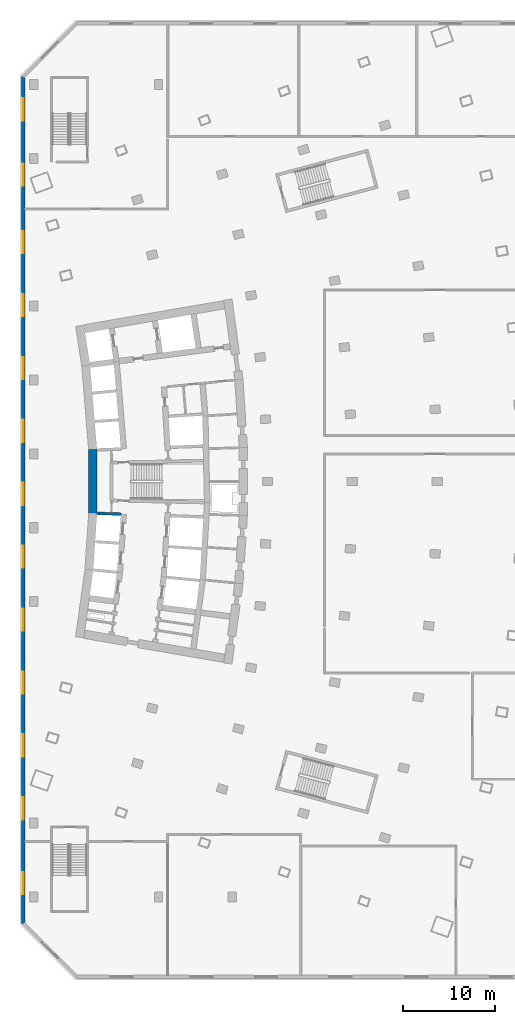
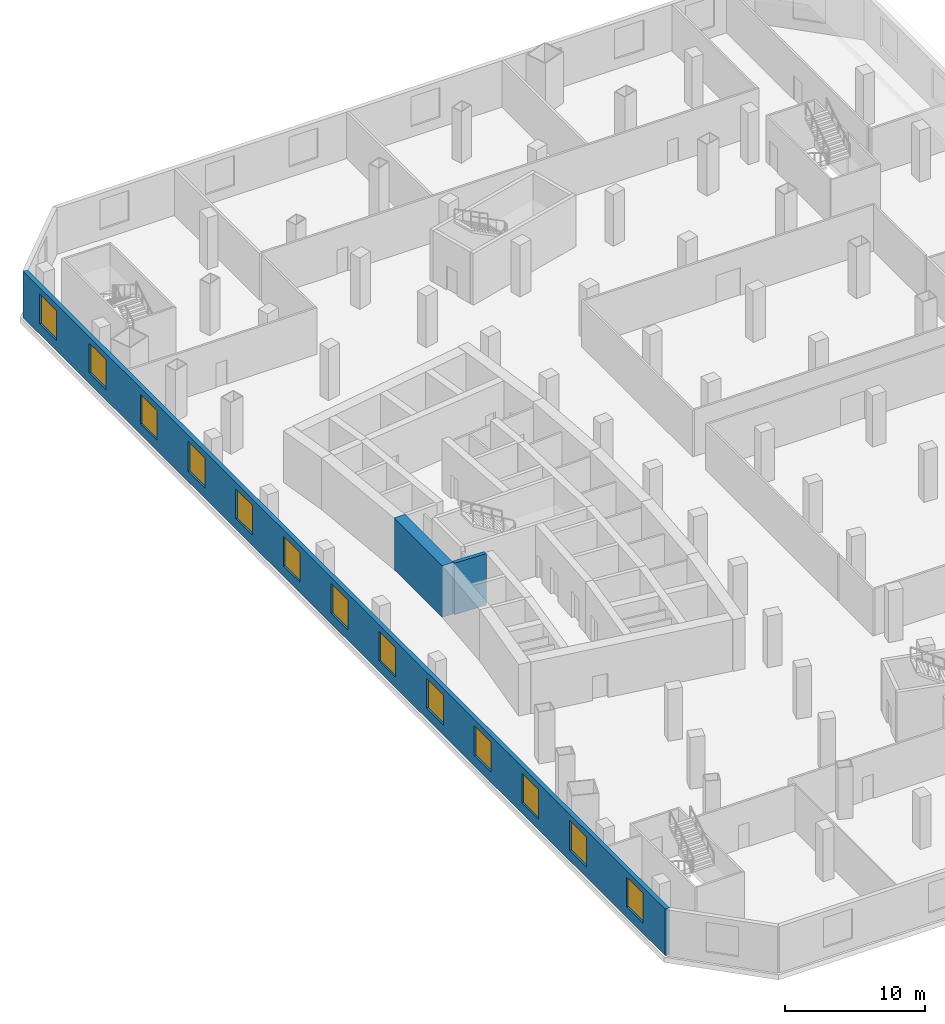
# One storey, part 4 of 16: 13 windows, 3 walls, 13 openings.
"""IFC4 building model written with IfcOpenShell, lengths in metres."""

import ifcopenshell
import ifcopenshell.guid

model = None  # the IFC model being written
_history = None  # IfcOwnerHistory: only IFC2X3 demands one
_inside = {}  # id of a spatial element -> (the spatial element, [elements in it])
_under = {}  # id of a project, library or spatial element -> (it, [spatial elements below it])
_declared = {}  # id of a project -> (the project, [libraries it declares])
_typed = {}  # id of a type object -> (the type object, [elements of that type])
_made_of = {}  # id of a material, layer set ... -> (it, [elements and type objects made of it])


def new_model(schema):
    """Start an empty IFC model of exactly this schema.

    Asked for "IFC4X3", IfcOpenShell would pick the latest addendum, in which some entities
    have other attributes; the version numbers below select the first issue.
    IFC2X3 requires an IfcOwnerHistory on every rooted entity: one is made here for all.
    """
    global model, _history
    if schema == "IFC4X3":
        model = ifcopenshell.file(schema_version=(4, 3, 0, 0))
    else:
        model = ifcopenshell.file(schema=schema)
    _inside.clear()
    _under.clear()
    _declared.clear()
    _typed.clear()
    _made_of.clear()
    _history = None
    if model.schema == "IFC2X3":
        org = make("IfcOrganization", Name="unknown")
        user = make(
            "IfcPersonAndOrganization",
            ThePerson=make("IfcPerson", FamilyName="unknown"),
            TheOrganization=org,
        )
        app = make(
            "IfcApplication",
            ApplicationDeveloper=org,
            Version="unknown",
            ApplicationFullName="unknown",
            ApplicationIdentifier="unknown",
        )
        _history = make(
            "IfcOwnerHistory",
            OwningUser=user,
            OwningApplication=app,
            ChangeAction="ADDED",
            CreationDate=0,
        )
    return model


def make(cls, **values):
    """One entity of the class cls with the attributes given. An attribute that is None is left unset."""
    return model.create_entity(
        cls, **{name: value for name, value in values.items() if value is not None}
    )


def rooted(cls, **values):
    """An entity with a GlobalId (a new one), such as an element, a storey or a relation."""
    return make(cls, GlobalId=ifcopenshell.guid.new(), OwnerHistory=_history, **values)


def si_unit(unit_type, name, prefix=None):
    """IfcSIUnit, for example si_unit("LENGTHUNIT", "METRE", prefix="MILLI")."""
    return make("IfcSIUnit", UnitType=unit_type, Prefix=prefix, Name=name)


def assignment(units):
    """IfcUnitAssignment: the units of a project."""
    return None if units is None else make("IfcUnitAssignment", Units=units)


def point(xyz):
    """IfcCartesianPoint."""
    return None if xyz is None else make("IfcCartesianPoint", Coordinates=xyz)


def direction(xyz):
    """IfcDirection."""
    return None if xyz is None else make("IfcDirection", DirectionRatios=xyz)


def frame(location, z_axis=None, x_axis=None):
    """IfcAxis2Placement3D, a coordinate frame: its origin and axes. An axis left out is left unset."""
    return make(
        "IfcAxis2Placement3D",
        Location=point(location),
        Axis=direction(z_axis),
        RefDirection=direction(x_axis),
    )


def frame_2d(location, x_axis=None):
    """IfcAxis2Placement2D, a coordinate frame in the plane: its origin and x axis."""
    return make(
        "IfcAxis2Placement2D", Location=point(location), RefDirection=direction(x_axis)
    )


def origin():
    """The frame at (0, 0, 0) with its axes left unset."""
    return frame((0.0, 0.0, 0.0))


def place(relative_to, where):
    """IfcLocalPlacement: puts the frame where relative to a parent placement (None: the world)."""
    return make(
        "IfcLocalPlacement", PlacementRelTo=relative_to, RelativePlacement=where
    )


def context(
    kind, dimensions, precision=None, world=None, true_north=None, identifier=None
):
    """IfcGeometricRepresentationContext, for example the 3D "Model" context."""
    return make(
        "IfcGeometricRepresentationContext",
        ContextIdentifier=identifier,
        ContextType=kind,
        CoordinateSpaceDimension=dimensions,
        Precision=precision,
        WorldCoordinateSystem=world,
        TrueNorth=true_north,
    )


def subcontext(parent, identifier, kind, view, scale=None):
    """IfcGeometricRepresentationSubContext, for example "Body" below "Model"."""
    return make(
        "IfcGeometricRepresentationSubContext",
        ContextIdentifier=identifier,
        ContextType=kind,
        ParentContext=parent,
        TargetScale=scale,
        TargetView=view,
    )


def project(units=None, contexts=None):
    """IfcProject with its units and contexts."""
    return rooted(
        "IfcProject",
        Name="project",
        RepresentationContexts=contexts,
        UnitsInContext=assignment(units),
    )


def spatial(cls, under=None, at=None, **own):
    """A site, building, storey or space (cls), placed at a placement, below another one or the project."""
    s = rooted(cls, ObjectPlacement=at, **own)
    if under is not None:
        _under.setdefault(under.id(), (under, []))[1].append(s)
    return s


def profile(cls, at=None, kind="AREA", **sizes):
    """A parametric profile (cls). Its sizes go by their IFC names, for example OverallWidth=200.0."""
    return make(cls, ProfileType=kind, Position=at, **sizes)


def rectangle(**sizes):
    """IfcRectangleProfileDef."""
    return profile("IfcRectangleProfileDef", **sizes)


def extrude(swept, where, along, depth):
    """IfcExtrudedAreaSolid: the profile swept, set in the frame where, extruded along a direction by depth."""
    return make(
        "IfcExtrudedAreaSolid",
        SweptArea=swept,
        Position=where,
        ExtrudedDirection=direction(along),
        Depth=depth,
    )


def shape(context_of_items, identifier, shape_type, items):
    """IfcShapeRepresentation: the items that make up one representation, for example the "Body"."""
    return make(
        "IfcShapeRepresentation",
        ContextOfItems=context_of_items,
        RepresentationIdentifier=identifier,
        RepresentationType=shape_type,
        Items=items,
    )


def material(Name=None, Category=None):
    """IfcMaterial."""
    return make("IfcMaterial", Name=Name, Category=Category)


def layer(
    of_material, thickness, ventilated=None, Name=None, Category=None, Priority=None
):
    """IfcMaterialLayer: one layer of a wall or slab, of a material (None: an air gap)."""
    return make(
        "IfcMaterialLayer",
        Material=of_material,
        LayerThickness=thickness,
        IsVentilated=ventilated,
        Name=Name,
        Category=Category,
        Priority=Priority,
    )


def layer_set(layers, Name=None):
    """IfcMaterialLayerSet."""
    return make("IfcMaterialLayerSet", MaterialLayers=layers, LayerSetName=Name)


def made_of(thing, what):
    """Note that an element or type object is made of a material, layer set ...; save() writes the relation."""
    if what is not None:
        _made_of.setdefault(what.id(), (what, []))[1].append(thing)
    return thing


def type_object(cls, material=None, **own):
    """A type object (cls), such as IfcWallType, which elements share."""
    return made_of(rooted(cls, **own), material)


def element(
    cls,
    number,
    at=None,
    inside=None,
    cuts=None,
    type_object=None,
    material=None,
    context=None,
    identifier="Body",
    shape_type=None,
    held_by="IfcProductDefinitionShape",
    body=None,
    shapes=None,
    **own,
):
    """One element of the class cls, such as IfcWall. Its Tag is "e" and its number.

    at: its placement. inside: the storey or other place that contains it. cuts: it is an
    opening in that element (IfcRelVoidsElement). A single representation is given by context,
    identifier, shape_type and body (its items); several are given by shapes. held_by: the class
    of the entity that holds the representations. save() writes the other relations.
    """
    e = rooted(cls, Tag="e%d" % number, ObjectPlacement=at, **own)
    if body is not None:
        shapes = [shape(context, identifier, shape_type, body)]
    if shapes is not None:
        e.Representation = make(held_by, Representations=shapes)
    if inside is not None:
        _inside.setdefault(inside.id(), (inside, []))[1].append(e)
    if cuts is not None:
        rooted(
            "IfcRelVoidsElement", RelatingBuildingElement=cuts, RelatedOpeningElement=e
        )
    if type_object is not None:
        _typed.setdefault(type_object.id(), (type_object, []))[1].append(e)
    return made_of(e, material)


def fill(opening, filler):
    """IfcRelFillsElement: the door or window that sits in an opening."""
    return rooted(
        "IfcRelFillsElement",
        RelatingOpeningElement=opening,
        RelatedBuildingElement=filler,
    )


def aggregate(whole, parts):
    """IfcRelAggregates: a whole, such as a stair, and the parts it consists of."""
    return rooted("IfcRelAggregates", RelatingObject=whole, RelatedObjects=parts)


def save(model, path):
    """Write the relations noted so far, then the file.

    IfcRelAggregates (storeys below a building ...), IfcRelContainedInSpatialStructure (elements
    in a storey), IfcRelDefinesByType, IfcRelAssociatesMaterial and IfcRelDeclares: one each for
    every whole, place, type object, material and project.
    """
    for whole, parts in _under.values():
        aggregate(whole, parts)
    for where, things in _inside.values():
        rooted(
            "IfcRelContainedInSpatialStructure",
            RelatedElements=things,
            RelatingStructure=where,
        )
    for kind, things in _typed.values():
        rooted("IfcRelDefinesByType", RelatedObjects=things, RelatingType=kind)
    for what, things in _made_of.values():
        rooted("IfcRelAssociatesMaterial", RelatedObjects=things, RelatingMaterial=what)
    for by, libraries in _declared.values():
        rooted("IfcRelDeclares", RelatingContext=by, RelatedDefinitions=libraries)
    model.write(path)


model = new_model("IFC4")

# Units and contexts
model_context = context("Model", 3, precision=1e-05, world=origin(), true_north=direction((0.0, 1.0)))
body_context = subcontext(model_context, "Body", "Model", "MODEL_VIEW")
ifc_project = project(units=[si_unit("LENGTHUNIT", "METRE"), si_unit("AREAUNIT", "SQUARE_METRE"), si_unit("VOLUMEUNIT", "CUBIC_METRE"), si_unit("PLANEANGLEUNIT", "RADIAN"), si_unit("MASSUNIT", "GRAM", prefix="KILO")], contexts=[model_context])

# Site, building, storey
site_placement = place(None, origin())
site = spatial("IfcSite", under=ifc_project, at=site_placement, CompositionType="ELEMENT")
building_placement = place(site_placement, origin())
building = spatial("IfcBuilding", under=site, at=building_placement, Name="Alderwake Tower", CompositionType="ELEMENT")
storey_placement = place(building_placement, frame((0.0, 0.0, 18.5)))
storey = spatial("IfcBuildingStorey", under=building, at=storey_placement, Name="L03", CompositionType="ELEMENT", Elevation=18.5)

# Walls
ifc_material_1 = material(Name="Concrete C70/85", Category="concrete")
ifc_layer_1 = layer(ifc_material_1, 0.89990234375)
ifc_layer_set_1 = layer_set([ifc_layer_1], Name="Core wall outer 900 C70-85")
wall_type_1 = type_object("IfcWallType", Name="Core wall outer 900 C70-85", PredefinedType="SHEAR", material=ifc_layer_set_1)
wall_1_placement = place(storey_placement, frame((16.889404296875, 57.5546875, 0.0), z_axis=(0.0, 0.0, 1.0), x_axis=(0.0, 1.0, 0.0)))
element("IfcWall", 1, at=wall_1_placement, inside=storey, type_object=wall_type_1, Name="Core wall CW.043", PredefinedType="SHEAR", context=body_context, shape_type="SweptSolid", body=[
    extrude(rectangle(XDim=6.89404296875, YDim=0.89990234375, at=frame_2d((3.447021484375, 0.0))), origin(), (0.0, 0.0, 1.0), 4.5),
])
ifc_material_2 = material(Name="Concrete C70/85", Category="concrete")
ifc_layer_2 = layer(ifc_material_2, 0.300048828125)
ifc_layer_set_2 = layer_set([ifc_layer_2], Name="Core wall shaft 300 C70-85")
wall_type_2 = type_object("IfcWallType", Name="Core wall shaft 300 C70-85", PredefinedType="SHEAR", material=ifc_layer_set_2)
wall_2_placement = place(storey_placement, frame((17.369140625, 57.553466796875, 0.0), z_axis=(0.0, 0.0, 1.0), x_axis=(0.99937189907, -0.035437372217, 0.0)))
element("IfcWall", 2, at=wall_2_placement, inside=storey, type_object=wall_type_2, Name="Core wall CW.076", PredefinedType="SHEAR", context=body_context, shape_type="SweptSolid", body=[
    extrude(rectangle(XDim=2.56982421875, YDim=0.300048828125, at=frame_2d((1.284912109375, 0.0))), origin(), (0.0, 0.0, 1.0), 4.5),
])

# Wall, openings, windows
ifc_material_3 = material(Name="Precast concrete C50/60 spandrel panel", Category="concrete")
ifc_layer_3 = layer(ifc_material_3, 0.35009765625)
ifc_layer_set_3 = layer_set([ifc_layer_3], Name="External wall EW4 Precast concrete C50/60 podium")
wall_type_3 = type_object("IfcWallType", Name="External wall EW4 Precast concrete C50/60 podium", PredefinedType="SOLIDWALL", material=ifc_layer_set_3)
wall_3_placement = place(storey_placement, frame((9.35009765625, 104.85498046875, 0.0), z_axis=(0.0, 0.0, 1.0), x_axis=(0.0, -1.0, 0.0)))
wall_3 = element("IfcWall", 3, at=wall_3_placement, inside=storey, type_object=wall_type_3, Name="External wall 7", PredefinedType="SOLIDWALL", context=body_context, shape_type="SweptSolid", body=[
    extrude(rectangle(XDim=91.72509765625, YDim=0.35009765625, at=frame_2d((45.862548828125, 0.0))), origin(), (0.0, 0.0, 1.0), 4.050048828125),
])
opening_1_placement = place(wall_3_placement, frame((2.343505859375, 0.0, 0.89990234375)))
opening_1 = element("IfcOpeningElement", 4, at=opening_1_placement, cuts=wall_3, Name="Opening W6", PredefinedType="OPENING", context=body_context, shape_type="SweptSolid", body=[
    extrude(rectangle(XDim=2.39990234375, YDim=2.60009765625, at=frame_2d((1.199951171875, 1.300048828125))), frame((0.0, 0.18505859375, 0.0), z_axis=(0.0, -1.0, 0.0), x_axis=(1.0, 0.0, 0.0)), (0.0, 0.0, 1.0), 0.3701171875),
])
opening_2_placement = place(wall_3_placement, frame((9.430419921875, 0.0, 0.89990234375)))
opening_2 = element("IfcOpeningElement", 5, at=opening_2_placement, cuts=wall_3, Name="Opening W6", PredefinedType="OPENING", context=body_context, shape_type="SweptSolid", body=[
    extrude(rectangle(XDim=2.39990234375, YDim=2.60009765625, at=frame_2d((1.199951171875, 1.300048828125))), frame((0.0, 0.18505859375, 0.0), z_axis=(0.0, -1.0, 0.0), x_axis=(1.0, 0.0, 0.0)), (0.0, 0.0, 1.0), 0.3701171875),
])
opening_3_placement = place(wall_3_placement, frame((16.7412109375, 0.0, 0.89990234375)))
opening_3 = element("IfcOpeningElement", 6, at=opening_3_placement, cuts=wall_3, Name="Opening W6", PredefinedType="OPENING", context=body_context, shape_type="SweptSolid", body=[
    extrude(rectangle(XDim=2.39990234375, YDim=2.60009765625, at=frame_2d((1.199951171875, 1.300048828125))), frame((0.0, 0.18505859375, 0.0), z_axis=(0.0, -1.0, 0.0), x_axis=(1.0, 0.0, 0.0)), (0.0, 0.0, 1.0), 0.3701171875),
])
opening_4_placement = place(wall_3_placement, frame((23.555419921875, 0.0, 0.89990234375)))
opening_4 = element("IfcOpeningElement", 7, at=opening_4_placement, cuts=wall_3, Name="Opening W6", PredefinedType="OPENING", context=body_context, shape_type="SweptSolid", body=[
    extrude(rectangle(XDim=2.39990234375, YDim=2.60009765625, at=frame_2d((1.199951171875, 1.300048828125))), frame((0.0, 0.18505859375, 0.0), z_axis=(0.0, -1.0, 0.0), x_axis=(1.0, 0.0, 0.0)), (0.0, 0.0, 1.0), 0.3701171875),
])
opening_5_placement = place(wall_3_placement, frame((30.369384765625, 0.0, 0.89990234375)))
opening_5 = element("IfcOpeningElement", 8, at=opening_5_placement, cuts=wall_3, Name="Opening W6", PredefinedType="OPENING", context=body_context, shape_type="SweptSolid", body=[
    extrude(rectangle(XDim=2.39990234375, YDim=2.60009765625, at=frame_2d((1.199951171875, 1.300048828125))), frame((0.0, 0.18505859375, 0.0), z_axis=(0.0, -1.0, 0.0), x_axis=(1.0, 0.0, 0.0)), (0.0, 0.0, 1.0), 0.3701171875),
])
opening_6_placement = place(wall_3_placement, frame((37.18359375, 0.0, 0.89990234375)))
opening_6 = element("IfcOpeningElement", 9, at=opening_6_placement, cuts=wall_3, Name="Opening W6", PredefinedType="OPENING", context=body_context, shape_type="SweptSolid", body=[
    extrude(rectangle(XDim=2.39990234375, YDim=2.60009765625, at=frame_2d((1.199951171875, 1.300048828125))), frame((0.0, 0.18505859375, 0.0), z_axis=(0.0, -1.0, 0.0), x_axis=(1.0, 0.0, 0.0)), (0.0, 0.0, 1.0), 0.3701171875),
])
opening_7_placement = place(wall_3_placement, frame((43.997802734375, 0.0, 0.89990234375)))
opening_7 = element("IfcOpeningElement", 10, at=opening_7_placement, cuts=wall_3, Name="Opening W6", PredefinedType="OPENING", context=body_context, shape_type="SweptSolid", body=[
    extrude(rectangle(XDim=2.39990234375, YDim=2.60009765625, at=frame_2d((1.199951171875, 1.300048828125))), frame((0.0, 0.18505859375, 0.0), z_axis=(0.0, -1.0, 0.0), x_axis=(1.0, 0.0, 0.0)), (0.0, 0.0, 1.0), 0.3701171875),
])
opening_8_placement = place(wall_3_placement, frame((50.81201171875, 0.0, 0.89990234375)))
opening_8 = element("IfcOpeningElement", 11, at=opening_8_placement, cuts=wall_3, Name="Opening W6", PredefinedType="OPENING", context=body_context, shape_type="SweptSolid", body=[
    extrude(rectangle(XDim=2.39990234375, YDim=2.60009765625, at=frame_2d((1.199951171875, 1.300048828125))), frame((0.0, 0.18505859375, 0.0), z_axis=(0.0, -1.0, 0.0), x_axis=(1.0, 0.0, 0.0)), (0.0, 0.0, 1.0), 0.3701171875),
])
opening_9_placement = place(wall_3_placement, frame((57.626220703125, 0.0, 0.89990234375)))
opening_9 = element("IfcOpeningElement", 12, at=opening_9_placement, cuts=wall_3, Name="Opening W6", PredefinedType="OPENING", context=body_context, shape_type="SweptSolid", body=[
    extrude(rectangle(XDim=2.39990234375, YDim=2.60009765625, at=frame_2d((1.199951171875, 1.300048828125))), frame((0.0, 0.18505859375, 0.0), z_axis=(0.0, -1.0, 0.0), x_axis=(1.0, 0.0, 0.0)), (0.0, 0.0, 1.0), 0.3701171875),
])
opening_10_placement = place(wall_3_placement, frame((64.4404296875, 0.0, 0.89990234375)))
opening_10 = element("IfcOpeningElement", 13, at=opening_10_placement, cuts=wall_3, Name="Opening W6", PredefinedType="OPENING", context=body_context, shape_type="SweptSolid", body=[
    extrude(rectangle(XDim=2.39990234375, YDim=2.60009765625, at=frame_2d((1.199951171875, 1.300048828125))), frame((0.0, 0.18505859375, 0.0), z_axis=(0.0, -1.0, 0.0), x_axis=(1.0, 0.0, 0.0)), (0.0, 0.0, 1.0), 0.3701171875),
])
opening_11_placement = place(wall_3_placement, frame((71.254638671875, 0.0, 0.89990234375)))
opening_11 = element("IfcOpeningElement", 14, at=opening_11_placement, cuts=wall_3, Name="Opening W6", PredefinedType="OPENING", context=body_context, shape_type="SweptSolid", body=[
    extrude(rectangle(XDim=2.39990234375, YDim=2.60009765625, at=frame_2d((1.199951171875, 1.300048828125))), frame((0.0, 0.18505859375, 0.0), z_axis=(0.0, -1.0, 0.0), x_axis=(1.0, 0.0, 0.0)), (0.0, 0.0, 1.0), 0.3701171875),
])
opening_12_placement = place(wall_3_placement, frame((78.06884765625, 0.0, 0.89990234375)))
opening_12 = element("IfcOpeningElement", 15, at=opening_12_placement, cuts=wall_3, Name="Opening W6", PredefinedType="OPENING", context=body_context, shape_type="SweptSolid", body=[
    extrude(rectangle(XDim=2.39990234375, YDim=2.60009765625, at=frame_2d((1.199951171875, 1.300048828125))), frame((0.0, 0.18505859375, 0.0), z_axis=(0.0, -1.0, 0.0), x_axis=(1.0, 0.0, 0.0)), (0.0, 0.0, 1.0), 0.3701171875),
])
opening_13_placement = place(wall_3_placement, frame((86.180419921875, 0.0, 0.89990234375)))
opening_13 = element("IfcOpeningElement", 16, at=opening_13_placement, cuts=wall_3, Name="Opening W6", PredefinedType="OPENING", context=body_context, shape_type="SweptSolid", body=[
    extrude(rectangle(XDim=2.39990234375, YDim=2.60009765625, at=frame_2d((1.199951171875, 1.300048828125))), frame((0.0, 0.18505859375, 0.0), z_axis=(0.0, -1.0, 0.0), x_axis=(1.0, 0.0, 0.0)), (0.0, 0.0, 1.0), 0.3701171875),
])
ifc_material_4 = material(Name="Bronze tinted glass in aluminium frame", Category="aluminium")
window_type = type_object("IfcWindowType", Name="Window W6 podium", PartitioningType="DOUBLE_PANEL_VERTICAL", PredefinedType="WINDOW", material=ifc_material_4)
window_1_placement = place(opening_1_placement, origin())
window_1 = element("IfcWindow", 17, at=window_1_placement, inside=storey, type_object=window_type, Name="Window W6 podium", OverallHeight=2.60009765625, OverallWidth=2.39990234375, PartitioningType="DOUBLE_PANEL_VERTICAL", PredefinedType="WINDOW", context=body_context, shape_type="SweptSolid", body=[
    extrude(rectangle(XDim=2.39990234375, YDim=2.60009765625, at=frame_2d((1.199951171875, 1.300048828125))), frame((0.0, 0.030029296875, 0.0), z_axis=(0.0, -1.0, 0.0), x_axis=(1.0, 0.0, 0.0)), (0.0, 0.0, 1.0), 0.06005859375),
])
fill(opening_1, window_1)
window_2_placement = place(opening_2_placement, origin())
window_2 = element("IfcWindow", 18, at=window_2_placement, inside=storey, type_object=window_type, Name="Window W6 podium", OverallHeight=2.60009765625, OverallWidth=2.39990234375, PartitioningType="DOUBLE_PANEL_VERTICAL", PredefinedType="WINDOW", context=body_context, shape_type="SweptSolid", body=[
    extrude(rectangle(XDim=2.39990234375, YDim=2.60009765625, at=frame_2d((1.199951171875, 1.300048828125))), frame((0.0, 0.030029296875, 0.0), z_axis=(0.0, -1.0, 0.0), x_axis=(1.0, 0.0, 0.0)), (0.0, 0.0, 1.0), 0.06005859375),
])
fill(opening_2, window_2)
window_3_placement = place(opening_3_placement, origin())
window_3 = element("IfcWindow", 19, at=window_3_placement, inside=storey, type_object=window_type, Name="Window W6 podium", OverallHeight=2.60009765625, OverallWidth=2.39990234375, PartitioningType="DOUBLE_PANEL_VERTICAL", PredefinedType="WINDOW", context=body_context, shape_type="SweptSolid", body=[
    extrude(rectangle(XDim=2.39990234375, YDim=2.60009765625, at=frame_2d((1.199951171875, 1.300048828125))), frame((0.0, 0.030029296875, 0.0), z_axis=(0.0, -1.0, 0.0), x_axis=(1.0, 0.0, 0.0)), (0.0, 0.0, 1.0), 0.06005859375),
])
fill(opening_3, window_3)
window_4_placement = place(opening_4_placement, origin())
window_4 = element("IfcWindow", 20, at=window_4_placement, inside=storey, type_object=window_type, Name="Window W6 podium", OverallHeight=2.60009765625, OverallWidth=2.39990234375, PartitioningType="DOUBLE_PANEL_VERTICAL", PredefinedType="WINDOW", context=body_context, shape_type="SweptSolid", body=[
    extrude(rectangle(XDim=2.39990234375, YDim=2.60009765625, at=frame_2d((1.199951171875, 1.300048828125))), frame((0.0, 0.030029296875, 0.0), z_axis=(0.0, -1.0, 0.0), x_axis=(1.0, 0.0, 0.0)), (0.0, 0.0, 1.0), 0.06005859375),
])
fill(opening_4, window_4)
window_5_placement = place(opening_5_placement, origin())
window_5 = element("IfcWindow", 21, at=window_5_placement, inside=storey, type_object=window_type, Name="Window W6 podium", OverallHeight=2.60009765625, OverallWidth=2.39990234375, PartitioningType="DOUBLE_PANEL_VERTICAL", PredefinedType="WINDOW", context=body_context, shape_type="SweptSolid", body=[
    extrude(rectangle(XDim=2.39990234375, YDim=2.60009765625, at=frame_2d((1.199951171875, 1.300048828125))), frame((0.0, 0.030029296875, 0.0), z_axis=(0.0, -1.0, 0.0), x_axis=(1.0, 0.0, 0.0)), (0.0, 0.0, 1.0), 0.06005859375),
])
fill(opening_5, window_5)
window_6_placement = place(opening_6_placement, origin())
window_6 = element("IfcWindow", 22, at=window_6_placement, inside=storey, type_object=window_type, Name="Window W6 podium", OverallHeight=2.60009765625, OverallWidth=2.39990234375, PartitioningType="DOUBLE_PANEL_VERTICAL", PredefinedType="WINDOW", context=body_context, shape_type="SweptSolid", body=[
    extrude(rectangle(XDim=2.39990234375, YDim=2.60009765625, at=frame_2d((1.199951171875, 1.300048828125))), frame((0.0, 0.030029296875, 0.0), z_axis=(0.0, -1.0, 0.0), x_axis=(1.0, 0.0, 0.0)), (0.0, 0.0, 1.0), 0.06005859375),
])
fill(opening_6, window_6)
window_7_placement = place(opening_7_placement, origin())
window_7 = element("IfcWindow", 23, at=window_7_placement, inside=storey, type_object=window_type, Name="Window W6 podium", OverallHeight=2.60009765625, OverallWidth=2.39990234375, PartitioningType="DOUBLE_PANEL_VERTICAL", PredefinedType="WINDOW", context=body_context, shape_type="SweptSolid", body=[
    extrude(rectangle(XDim=2.39990234375, YDim=2.60009765625, at=frame_2d((1.199951171875, 1.300048828125))), frame((0.0, 0.030029296875, 0.0), z_axis=(0.0, -1.0, 0.0), x_axis=(1.0, 0.0, 0.0)), (0.0, 0.0, 1.0), 0.06005859375),
])
fill(opening_7, window_7)
window_8_placement = place(opening_8_placement, origin())
window_8 = element("IfcWindow", 24, at=window_8_placement, inside=storey, type_object=window_type, Name="Window W6 podium", OverallHeight=2.60009765625, OverallWidth=2.39990234375, PartitioningType="DOUBLE_PANEL_VERTICAL", PredefinedType="WINDOW", context=body_context, shape_type="SweptSolid", body=[
    extrude(rectangle(XDim=2.39990234375, YDim=2.60009765625, at=frame_2d((1.199951171875, 1.300048828125))), frame((0.0, 0.030029296875, 0.0), z_axis=(0.0, -1.0, 0.0), x_axis=(1.0, 0.0, 0.0)), (0.0, 0.0, 1.0), 0.06005859375),
])
fill(opening_8, window_8)
window_9_placement = place(opening_9_placement, origin())
window_9 = element("IfcWindow", 25, at=window_9_placement, inside=storey, type_object=window_type, Name="Window W6 podium", OverallHeight=2.60009765625, OverallWidth=2.39990234375, PartitioningType="DOUBLE_PANEL_VERTICAL", PredefinedType="WINDOW", context=body_context, shape_type="SweptSolid", body=[
    extrude(rectangle(XDim=2.39990234375, YDim=2.60009765625, at=frame_2d((1.199951171875, 1.300048828125))), frame((0.0, 0.030029296875, 0.0), z_axis=(0.0, -1.0, 0.0), x_axis=(1.0, 0.0, 0.0)), (0.0, 0.0, 1.0), 0.06005859375),
])
fill(opening_9, window_9)
window_10_placement = place(opening_10_placement, origin())
window_10 = element("IfcWindow", 26, at=window_10_placement, inside=storey, type_object=window_type, Name="Window W6 podium", OverallHeight=2.60009765625, OverallWidth=2.39990234375, PartitioningType="DOUBLE_PANEL_VERTICAL", PredefinedType="WINDOW", context=body_context, shape_type="SweptSolid", body=[
    extrude(rectangle(XDim=2.39990234375, YDim=2.60009765625, at=frame_2d((1.199951171875, 1.300048828125))), frame((0.0, 0.030029296875, 0.0), z_axis=(0.0, -1.0, 0.0), x_axis=(1.0, 0.0, 0.0)), (0.0, 0.0, 1.0), 0.06005859375),
])
fill(opening_10, window_10)
window_11_placement = place(opening_11_placement, origin())
window_11 = element("IfcWindow", 27, at=window_11_placement, inside=storey, type_object=window_type, Name="Window W6 podium", OverallHeight=2.60009765625, OverallWidth=2.39990234375, PartitioningType="DOUBLE_PANEL_VERTICAL", PredefinedType="WINDOW", context=body_context, shape_type="SweptSolid", body=[
    extrude(rectangle(XDim=2.39990234375, YDim=2.60009765625, at=frame_2d((1.199951171875, 1.300048828125))), frame((0.0, 0.030029296875, 0.0), z_axis=(0.0, -1.0, 0.0), x_axis=(1.0, 0.0, 0.0)), (0.0, 0.0, 1.0), 0.06005859375),
])
fill(opening_11, window_11)
window_12_placement = place(opening_12_placement, origin())
window_12 = element("IfcWindow", 28, at=window_12_placement, inside=storey, type_object=window_type, Name="Window W6 podium", OverallHeight=2.60009765625, OverallWidth=2.39990234375, PartitioningType="DOUBLE_PANEL_VERTICAL", PredefinedType="WINDOW", context=body_context, shape_type="SweptSolid", body=[
    extrude(rectangle(XDim=2.39990234375, YDim=2.60009765625, at=frame_2d((1.199951171875, 1.300048828125))), frame((0.0, 0.030029296875, 0.0), z_axis=(0.0, -1.0, 0.0), x_axis=(1.0, 0.0, 0.0)), (0.0, 0.0, 1.0), 0.06005859375),
])
fill(opening_12, window_12)
window_13_placement = place(opening_13_placement, origin())
window_13 = element("IfcWindow", 29, at=window_13_placement, inside=storey, type_object=window_type, Name="Window W6 podium", OverallHeight=2.60009765625, OverallWidth=2.39990234375, PartitioningType="DOUBLE_PANEL_VERTICAL", PredefinedType="WINDOW", context=body_context, shape_type="SweptSolid", body=[
    extrude(rectangle(XDim=2.39990234375, YDim=2.60009765625, at=frame_2d((1.199951171875, 1.300048828125))), frame((0.0, 0.030029296875, 0.0), z_axis=(0.0, -1.0, 0.0), x_axis=(1.0, 0.0, 0.0)), (0.0, 0.0, 1.0), 0.06005859375),
])
fill(opening_13, window_13)

save(model, "model.ifc")
